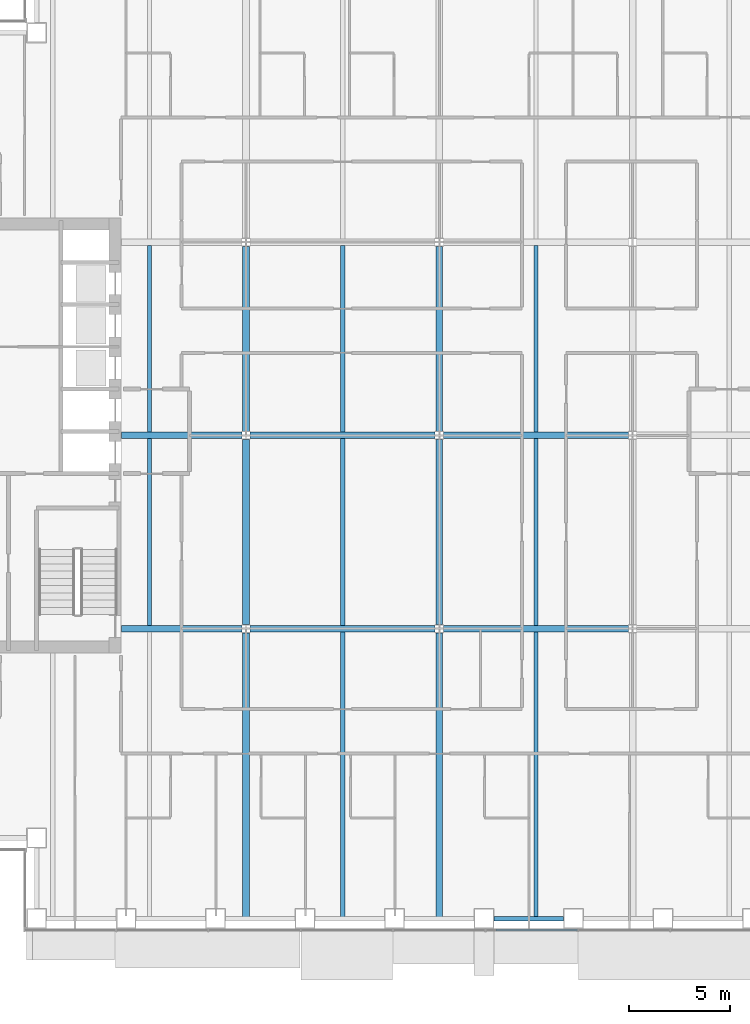
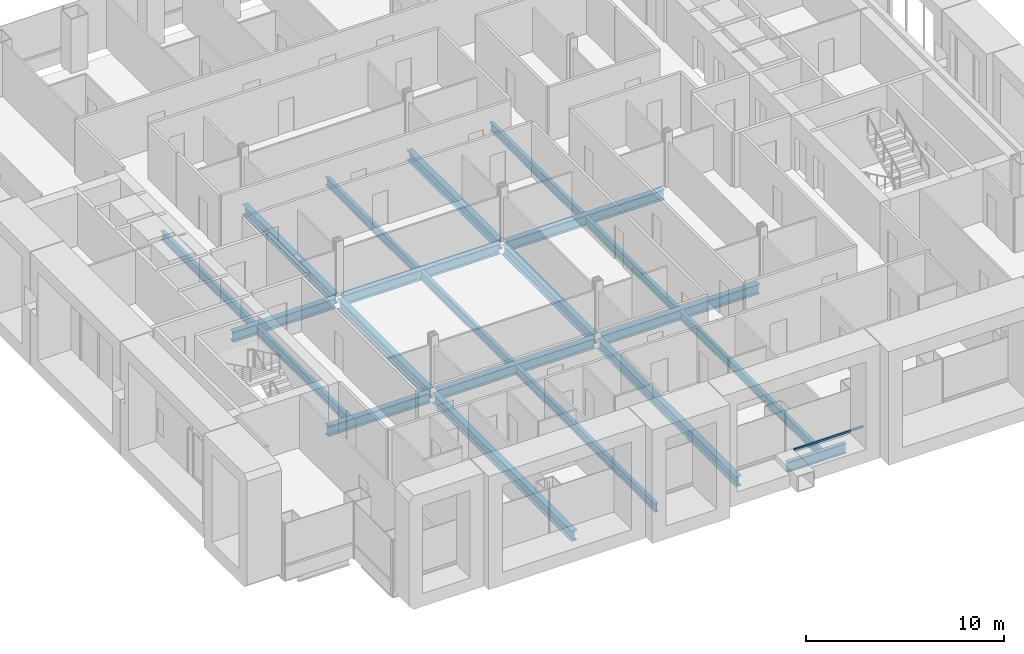
# One storey, part 3 of 25: 21 beams, 1 member, 1 element without a shape of its own.
"""IFC4 building model written with IfcOpenShell, lengths in metres."""

from ifc_helpers import new_model, si_unit, direction, frame, origin, origin_2d, place, context, subcontext, project, spatial, rectangle, i_section, extrude, material, material_profile, profile_set, type_object, element, aggregate, save


model = new_model("IFC4")

# Units and contexts
model_context = context("Model", 3, precision=1e-05, world=origin(), true_north=direction((0.0, 1.0)))
body_context = subcontext(model_context, "Body", "Model", "MODEL_VIEW")
ifc_project = project(units=[si_unit("LENGTHUNIT", "METRE"), si_unit("AREAUNIT", "SQUARE_METRE"), si_unit("VOLUMEUNIT", "CUBIC_METRE"), si_unit("PLANEANGLEUNIT", "RADIAN"), si_unit("MASSUNIT", "GRAM", prefix="KILO")], contexts=[model_context])

# Site, building, storey
site_placement = place(None, origin())
site = spatial("IfcSite", under=ifc_project, at=site_placement, CompositionType="ELEMENT")
building_placement = place(site_placement, origin())
building = spatial("IfcBuilding", under=site, at=building_placement, Name="Cobrizo Arcos Hotel Tower", CompositionType="ELEMENT")
storey_placement = place(building_placement, frame((0.0, 0.0, 53.0)))
storey = spatial("IfcBuildingStorey", under=building, at=storey_placement, Name="L11", CompositionType="ELEMENT", Elevation=53.0)

# Curtain wall, member
ifc_material_1 = material(Name="Aluminium 6063-T6 anodised bronze", Category="aluminium")
curtain_wall_type = type_object("IfcCurtainWallType", Name="CW-A guest facade", PredefinedType="NOTDEFINED", material=ifc_material_1)
curtain_wall_placement = place(storey_placement, origin())
curtain_wall = element("IfcCurtainWall", 1, at=curtain_wall_placement, inside=storey, type_object=curtain_wall_type, Name="CW-A L11 S face", PredefinedType="NOTDEFINED")
ifc_material_profile_1 = material_profile(ifc_material_1, rectangle(XDim=0.10009765625, YDim=0.1201171875, at=origin_2d()), Name="CW-A transom 120x100")
ifc_profile_set_1 = profile_set([ifc_material_profile_1], Name="Aluminium 6063-T6 anodised bronze")
member_type = type_object("IfcMemberType", Name="CW-A transom 120x100", PredefinedType="USERDEFINED", material=ifc_profile_set_1)
member_placement = place(storey_placement, frame((2.822265625, -24.574951171875, 0.929931640625), z_axis=(1.0, 0.0, 0.0), x_axis=(0.0, 1.0, 0.0)))
member = element("IfcMember", 2, at=member_placement, type_object=member_type, Name="CW-A transom 518", ObjectType="TRANSOM", PredefinedType="USERDEFINED", context=body_context, shape_type="SweptSolid", body=[
    extrude(rectangle(XDim=0.10009765625, YDim=0.1201171875, at=origin_2d()), origin(), (0.0, 0.0, 1.0), 4.031005859375),
])
aggregate(curtain_wall, [member])

# Beams
ifc_material_2 = material(Name="Steel ASTM A992 Grade 50", Category="steel")
ifc_material_profile_2 = material_profile(ifc_material_2, i_section(OverallWidth=0.209228515625, OverallDepth=0.533447265625, WebThickness=0.01025390625, FlangeThickness=0.015625, at=origin_2d()), Name="W21X62")
ifc_profile_set_2 = profile_set([ifc_material_profile_2], Name="Steel ASTM A992 Grade 50")
beam_type_1 = type_object("IfcBeamType", Name="W21X62 joist", PredefinedType="JOIST", material=ifc_profile_set_2)
for number, where, z_axis, x_axis, name in (
    (3, (-14.39990234375, -9.43603515625, -0.416748046875), (0.0, 1.0, 0.0), (-1.0, 0.0, 0.0), "Floor joist J1, L11, no. 004"),
    (4, (-14.39990234375, 0.163818359375, -0.416748046875), (0.0, 1.0, 0.0), (-1.0, 0.0, 0.0), "Floor joist J1, L11, no. 005"),
):
    element("IfcBeam", number, at=place(storey_placement, frame(where, z_axis=z_axis, x_axis=x_axis)), inside=storey, type_object=beam_type_1, Name=name, PredefinedType="JOIST", context=body_context, shape_type="SweptSolid", body=[
        extrude(i_section(OverallWidth=0.209228515625, OverallDepth=0.533447265625, WebThickness=0.01025390625, FlangeThickness=0.015625, at=origin_2d()), origin(), (0.0, 0.0, 1.0), 9.272216796875),
    ])
beam_1_placement = place(storey_placement, frame((-4.800048828125, -23.909912109375, -0.416748046875), z_axis=(0.0, 1.0, 0.0), x_axis=(-1.0, 0.0, 0.0)))
element("IfcBeam", 5, at=beam_1_placement, inside=storey, type_object=beam_type_1, Name="Floor joist J1, L11, no. 007", PredefinedType="JOIST", context=body_context, shape_type="SweptSolid", body=[
    extrude(i_section(OverallWidth=0.209228515625, OverallDepth=0.533447265625, WebThickness=0.01025390625, FlangeThickness=0.015625, at=origin_2d()), origin(), (0.0, 0.0, 1.0), 14.14599609375),
])
for number, where, z_axis, x_axis, name in (
    (6, (-4.800048828125, -9.43603515625, -0.416748046875), (0.0, 1.0, 0.0), (-1.0, 0.0, 0.0), "Floor joist J1, L11, no. 008"),
    (7, (-4.800048828125, 0.163818359375, -0.416748046875), (0.0, 1.0, 0.0), (-1.0, 0.0, 0.0), "Floor joist J1, L11, no. 009"),
):
    element("IfcBeam", number, at=place(storey_placement, frame(where, z_axis=z_axis, x_axis=x_axis)), inside=storey, type_object=beam_type_1, Name=name, PredefinedType="JOIST", context=body_context, shape_type="SweptSolid", body=[
        extrude(i_section(OverallWidth=0.209228515625, OverallDepth=0.533447265625, WebThickness=0.01025390625, FlangeThickness=0.015625, at=origin_2d()), origin(), (0.0, 0.0, 1.0), 9.272216796875),
    ])
beam_2_placement = place(storey_placement, frame((4.800048828125, -23.909912109375, -0.416748046875), z_axis=(0.0, 1.0, 0.0), x_axis=(-1.0, 0.0, 0.0)))
element("IfcBeam", 8, at=beam_2_placement, inside=storey, type_object=beam_type_1, Name="Floor joist J1, L11, no. 011", PredefinedType="JOIST", context=body_context, shape_type="SweptSolid", body=[
    extrude(i_section(OverallWidth=0.209228515625, OverallDepth=0.533447265625, WebThickness=0.01025390625, FlangeThickness=0.015625, at=origin_2d()), origin(), (0.0, 0.0, 1.0), 14.14599609375),
])
for number, where, z_axis, x_axis, name in (
    (9, (4.800048828125, -9.43603515625, -0.416748046875), (0.0, 1.0, 0.0), (-1.0, 0.0, 0.0), "Floor joist J1, L11, no. 012"),
    (10, (4.800048828125, 0.163818359375, -0.416748046875), (0.0, 1.0, 0.0), (-1.0, 0.0, 0.0), "Floor joist J1, L11, no. 013"),
):
    element("IfcBeam", number, at=place(storey_placement, frame(where, z_axis=z_axis, x_axis=x_axis)), inside=storey, type_object=beam_type_1, Name=name, PredefinedType="JOIST", context=body_context, shape_type="SweptSolid", body=[
        extrude(i_section(OverallWidth=0.209228515625, OverallDepth=0.533447265625, WebThickness=0.01025390625, FlangeThickness=0.015625, at=origin_2d()), origin(), (0.0, 0.0, 1.0), 9.272216796875),
    ])
ifc_material_profile_3 = material_profile(ifc_material_2, i_section(OverallWidth=0.32763671875, OverallDepth=0.622314453125, WebThickness=0.015380859375, FlangeThickness=0.0244140625, at=origin_2d()), Name="W24X131")
ifc_profile_set_3 = profile_set([ifc_material_profile_3], Name="Steel ASTM A992 Grade 50")
beam_type_2 = type_object("IfcBeamType", Name="W24X131 girder", PredefinedType="BEAM", material=ifc_profile_set_3)
beam_3_placement = place(storey_placement, frame((-15.7900390625, -9.60009765625, -0.461181640625), z_axis=(1.0, 0.0, 0.0), x_axis=(0.0, 1.0, 0.0)))
element("IfcBeam", 11, at=beam_3_placement, inside=storey, type_object=beam_type_2, Name="Floor girder G1, L11, no. 001", PredefinedType="BEAM", context=body_context, shape_type="SweptSolid", body=[
    extrude(i_section(OverallWidth=0.32763671875, OverallDepth=0.622314453125, WebThickness=0.015380859375, FlangeThickness=0.0244140625, at=origin_2d()), origin(), (0.0, 0.0, 1.0), 5.985595703125),
])
for number, where, z_axis, x_axis, name in (
    (12, (-9.3955078125, -9.60009765625, -0.461181640625), (1.0, 0.0, 0.0), (0.0, 1.0, 0.0), "Floor girder G1, L11, no. 002"),
    (13, (0.204345703125, -9.60009765625, -0.461181640625), (1.0, 0.0, 0.0), (0.0, 1.0, 0.0), "Floor girder G1, L11, no. 003"),
):
    element("IfcBeam", number, at=place(storey_placement, frame(where, z_axis=z_axis, x_axis=x_axis)), inside=storey, type_object=beam_type_2, Name=name, PredefinedType="BEAM", context=body_context, shape_type="SweptSolid", body=[
        extrude(i_section(OverallWidth=0.32763671875, OverallDepth=0.622314453125, WebThickness=0.015380859375, FlangeThickness=0.0244140625, at=origin_2d()), origin(), (0.0, 0.0, 1.0), 9.191162109375),
    ])
beam_4_placement = place(storey_placement, frame((-15.7900390625, 0.0, -0.461181640625), z_axis=(1.0, 0.0, 0.0), x_axis=(0.0, 1.0, 0.0)))
element("IfcBeam", 14, at=beam_4_placement, inside=storey, type_object=beam_type_2, Name="Floor girder G1, L11, no. 005", PredefinedType="BEAM", context=body_context, shape_type="SweptSolid", body=[
    extrude(i_section(OverallWidth=0.32763671875, OverallDepth=0.622314453125, WebThickness=0.015380859375, FlangeThickness=0.0244140625, at=origin_2d()), origin(), (0.0, 0.0, 1.0), 5.985595703125),
])
for number, where, z_axis, x_axis, name in (
    (15, (-9.3955078125, 0.0, -0.461181640625), (1.0, 0.0, 0.0), (0.0, 1.0, 0.0), "Floor girder G1, L11, no. 006"),
    (16, (0.204345703125, 0.0, -0.461181640625), (1.0, 0.0, 0.0), (0.0, 1.0, 0.0), "Floor girder G1, L11, no. 007"),
):
    element("IfcBeam", number, at=place(storey_placement, frame(where, z_axis=z_axis, x_axis=x_axis)), inside=storey, type_object=beam_type_2, Name=name, PredefinedType="BEAM", context=body_context, shape_type="SweptSolid", body=[
        extrude(i_section(OverallWidth=0.32763671875, OverallDepth=0.622314453125, WebThickness=0.015380859375, FlangeThickness=0.0244140625, at=origin_2d()), origin(), (0.0, 0.0, 1.0), 9.191162109375),
    ])
beam_5_placement = place(storey_placement, frame((-9.60009765625, -23.909912109375, -0.461181640625), z_axis=(0.0, 1.0, 0.0), x_axis=(-1.0, 0.0, 0.0)))
element("IfcBeam", 17, at=beam_5_placement, inside=storey, type_object=beam_type_2, Name="Floor girder G1, L11, no. 013", PredefinedType="BEAM", context=body_context, shape_type="SweptSolid", body=[
    extrude(i_section(OverallWidth=0.32763671875, OverallDepth=0.622314453125, WebThickness=0.015380859375, FlangeThickness=0.0244140625, at=origin_2d()), origin(), (0.0, 0.0, 1.0), 14.10546875),
])
for number, where, z_axis, x_axis, name in (
    (18, (-9.60009765625, -9.3955078125, -0.461181640625), (0.0, 1.0, 0.0), (-1.0, 0.0, 0.0), "Floor girder G1, L11, no. 014"),
    (19, (-9.60009765625, 0.204345703125, -0.461181640625), (0.0, 1.0, 0.0), (-1.0, 0.0, 0.0), "Floor girder G1, L11, no. 015"),
):
    element("IfcBeam", number, at=place(storey_placement, frame(where, z_axis=z_axis, x_axis=x_axis)), inside=storey, type_object=beam_type_2, Name=name, PredefinedType="BEAM", context=body_context, shape_type="SweptSolid", body=[
        extrude(i_section(OverallWidth=0.32763671875, OverallDepth=0.622314453125, WebThickness=0.015380859375, FlangeThickness=0.0244140625, at=origin_2d()), origin(), (0.0, 0.0, 1.0), 9.191162109375),
    ])
beam_6_placement = place(storey_placement, frame((0.0, -23.909912109375, -0.461181640625), z_axis=(0.0, 1.0, 0.0), x_axis=(-1.0, 0.0, 0.0)))
element("IfcBeam", 20, at=beam_6_placement, inside=storey, type_object=beam_type_2, Name="Floor girder G1, L11, no. 017", PredefinedType="BEAM", context=body_context, shape_type="SweptSolid", body=[
    extrude(i_section(OverallWidth=0.32763671875, OverallDepth=0.622314453125, WebThickness=0.015380859375, FlangeThickness=0.0244140625, at=origin_2d()), origin(), (0.0, 0.0, 1.0), 14.10546875),
])
for number, where, z_axis, x_axis, name in (
    (21, (0.0, -9.3955078125, -0.461181640625), (0.0, 1.0, 0.0), (-1.0, 0.0, 0.0), "Floor girder G1, L11, no. 018"),
    (22, (0.0, 0.204345703125, -0.461181640625), (0.0, 1.0, 0.0), (-1.0, 0.0, 0.0), "Floor girder G1, L11, no. 019"),
):
    element("IfcBeam", number, at=place(storey_placement, frame(where, z_axis=z_axis, x_axis=x_axis)), inside=storey, type_object=beam_type_2, Name=name, PredefinedType="BEAM", context=body_context, shape_type="SweptSolid", body=[
        extrude(i_section(OverallWidth=0.32763671875, OverallDepth=0.622314453125, WebThickness=0.015380859375, FlangeThickness=0.0244140625, at=origin_2d()), origin(), (0.0, 0.0, 1.0), 9.191162109375),
    ])
ifc_material_profile_4 = material_profile(ifc_material_2, i_section(OverallWidth=0.23046875, OverallDepth=0.6171875, WebThickness=0.01318359375, FlangeThickness=0.022216796875, at=origin_2d()), Name="W24X94")
ifc_profile_set_4 = profile_set([ifc_material_profile_4], Name="Steel ASTM A992 Grade 50")
beam_type_3 = type_object("IfcBeamType", Name="W24X94 spandrel", PredefinedType="SPANDREL", material=ifc_profile_set_4)
beam_7_placement = place(storey_placement, frame((2.721923828125, -24.0, -0.45849609375), z_axis=(1.0, 0.0, 0.0), x_axis=(0.0, 1.0, 0.0)))
element("IfcBeam", 23, at=beam_7_placement, inside=storey, type_object=beam_type_3, Name="Spandrel beam W24X94, L11, no. 006", PredefinedType="SPANDREL", context=body_context, shape_type="SweptSolid", body=[
    extrude(i_section(OverallWidth=0.23046875, OverallDepth=0.6171875, WebThickness=0.01318359375, FlangeThickness=0.022216796875, at=origin_2d()), origin(), (0.0, 0.0, 1.0), 3.445068359375),
])

save(model, "model.ifc")
